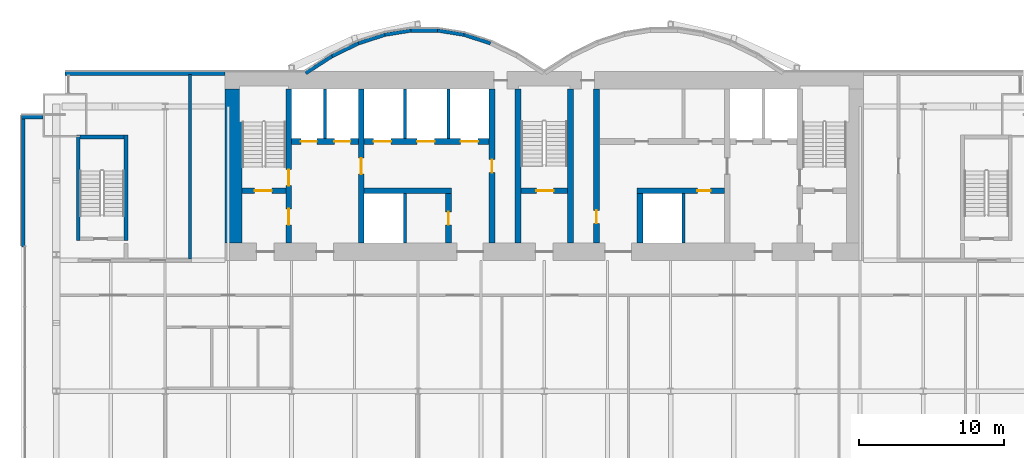
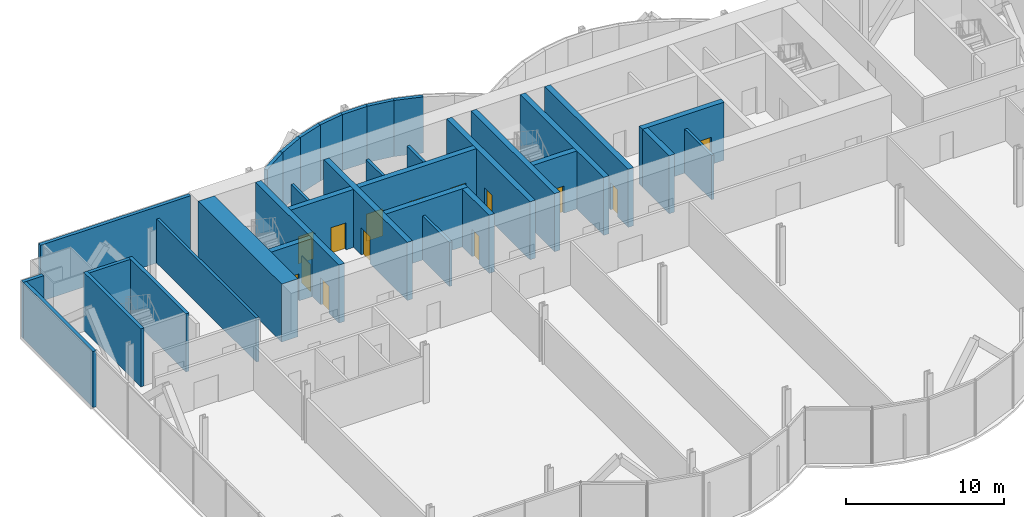
# One storey, part 16 of 21: 33 walls, 14 doors, 14 openings.
"""IFC4 building model written with IfcOpenShell, lengths in metres."""

from ifc_helpers import new_model, si_unit, direction, frame, frame_2d, origin, place, context, subcontext, project, spatial, rectangle, extrude, material, layer, layer_set, layer_usage, type_object, element, fill, save


model = new_model("IFC4")

# Units and contexts
model_context = context("Model", 3, precision=1e-05, world=origin(), true_north=direction((0.0, 1.0)))
body_context = subcontext(model_context, "Body", "Model", "MODEL_VIEW")
ifc_project = project(units=[si_unit("LENGTHUNIT", "METRE"), si_unit("AREAUNIT", "SQUARE_METRE"), si_unit("VOLUMEUNIT", "CUBIC_METRE"), si_unit("PLANEANGLEUNIT", "RADIAN"), si_unit("MASSUNIT", "GRAM", prefix="KILO")], contexts=[model_context])

# Site, building, storey
site_placement = place(None, origin())
site = spatial("IfcSite", under=ifc_project, at=site_placement, CompositionType="ELEMENT")
building_placement = place(site_placement, origin())
building = spatial("IfcBuilding", under=site, at=building_placement, Name="Bicima Exchange Tower", CompositionType="ELEMENT")
storey_placement = place(building_placement, frame((0.0, 0.0, 66.5)))
storey = spatial("IfcBuildingStorey", under=building, at=storey_placement, Name="L13", CompositionType="ELEMENT", Elevation=66.5)

# Walls
ifc_material_1 = material(Name="Gypsum board partition")
ifc_layer_1 = layer(ifc_material_1, 0.199951171875)
ifc_layer_set_1 = layer_set([ifc_layer_1], Name="Gypsum board partition")
wall_type_1 = type_object("IfcWallType", Name="Fire-rated gypsum partition 200 EI120", PredefinedType="PARTITIONING", material=ifc_layer_set_1)
for number, where, z_axis, x_axis, name in (
    (1, (-15.10009765625, -4.60009765625, 0.0), (0.0, 0.0, 1.0), (0.0, 1.0, 0.0), "partition wall 9"),
    (2, (-9.60009765625, -11.800048828125, 0.0), (0.0, 0.0, 1.0), (0.0, 1.0, 0.0), "partition wall 11"),
    (3, (-9.60009765625, -4.60009765625, 0.0), (0.0, 0.0, 1.0), (0.0, 1.0, 0.0), "partition wall 12"),
    (4, (-6.60009765625, -4.60009765625, 0.0), (0.0, 0.0, 1.0), (0.0, 1.0, 0.0), "partition wall 14"),
    (5, (9.60009765625, -11.800048828125, 0.0), (0.0, 0.0, 1.0), (0.0, 1.0, 0.0), "partition wall 20"),
):
    element("IfcWall", number, at=place(storey_placement, frame(where, z_axis=z_axis, x_axis=x_axis)), inside=storey, type_object=wall_type_1, Name=name, PredefinedType="PARTITIONING", context=body_context, shape_type="SweptSolid", body=[
        extrude(rectangle(XDim=3.400146484375, YDim=0.199951171875, at=frame_2d((1.7001953125, 0.0))), origin(), (0.0, 0.0, 1.0), 3.418212890625),
    ])
ifc_layer_2 = layer(ifc_material_1, 0.199951171875)
ifc_layer_set_2 = layer_set([ifc_layer_2], Name="Gypsum board partition")
wall_type_2 = type_object("IfcWallType", Name="Fire-rated gypsum partition 200 EI60", PredefinedType="PARTITIONING", material=ifc_layer_set_2)
wall_1_placement = place(storey_placement, frame((-24.39990234375, -12.89990234375, 0.0), z_axis=(0.0, 0.0, 1.0), x_axis=(0.0, 1.0, 0.0)))
element("IfcWall", 6, at=wall_1_placement, inside=storey, type_object=wall_type_2, Name="partition wall 15", PredefinedType="PARTITIONING", context=body_context, shape_type="SweptSolid", body=[
    extrude(rectangle(XDim=12.68994140625, YDim=0.199951171875, at=frame_2d((6.344970703125, 0.0))), origin(), (0.0, 0.0, 1.0), 3.418212890625),
])
ifc_material_2 = material(Name="Concrete C60/75", Category="concrete")
ifc_layer_3 = layer(ifc_material_2, 1.199951171875)
ifc_layer_set_3 = layer_set([ifc_layer_3], Name="Concrete C60/75")
wall_type_3 = type_object("IfcWallType", Name="RC core wall 1200 C60/75", PredefinedType="SHEAR", material=ifc_layer_set_3)
wall_2_placement = place(storey_placement, frame((-21.39990234375, -11.800048828125, 0.0), z_axis=(0.0, 0.0, 1.0), x_axis=(0.0, 1.0, 0.0)))
element("IfcWall", 7, at=wall_2_placement, inside=storey, type_object=wall_type_3, Name="Core wall west", PredefinedType="SHEAR", context=body_context, shape_type="SweptSolid", body=[
    extrude(rectangle(XDim=10.60009765625, YDim=1.199951171875, at=frame_2d((5.300048828125, 0.0))), origin(), (0.0, 0.0, 1.0), 4.5),
])

# Wall, opening, door
ifc_material_3 = material(Name="Concrete C50/60", Category="concrete")
ifc_layer_4 = layer(ifc_material_3, 0.39990234375)
ifc_layer_set_4 = layer_set([ifc_layer_4], Name="Concrete C50/60")
wall_type_4 = type_object("IfcWallType", Name="RC core wall 400 C50/60", PredefinedType="SHEAR", material=ifc_layer_set_4)
wall_3_placement = place(storey_placement, frame((-20.800048828125, -8.199951171875, 0.0), z_axis=(0.0, 0.0, 1.0), x_axis=(1.0, 0.0, 0.0)))
wall_3 = element("IfcWall", 8, at=wall_3_placement, inside=storey, type_object=wall_type_4, Name="stair wall 1", PredefinedType="SHEAR", context=body_context, shape_type="SweptSolid", body=[
    extrude(rectangle(XDim=3.0, YDim=0.39990234375, at=frame_2d((1.5, 0.0))), origin(), (0.0, 0.0, 1.0), 4.5),
])
opening_1_placement = place(wall_3_placement, frame((0.85009765625, 0.0, 0.0)))
opening_1 = element("IfcOpeningElement", 9, at=opening_1_placement, cuts=wall_3, Name="Opening L13-C01", PredefinedType="OPENING", context=body_context, shape_type="SweptSolid", body=[
    extrude(rectangle(XDim=1.199951171875, YDim=2.10009765625, at=frame_2d((0.60009765625, 1.050048828125))), frame((0.0, 0.2119140625, 0.0), z_axis=(0.0, -1.0, 0.0), x_axis=(1.0, 0.0, 0.0)), (0.0, 0.0, 1.0), 0.423828125),
])
ifc_material_4 = material(Name="Steel fire door leaf", Category="steel")
door_type_1 = type_object("IfcDoorType", Name="Door 1200 swing FD60S", OperationType="SINGLE_SWING_LEFT", PredefinedType="DOOR", material=ifc_material_4)
door_1_placement = place(opening_1_placement, origin())
door_1 = element("IfcDoor", 10, at=door_1_placement, inside=storey, type_object=door_type_1, Name="Core door", OperationType="SINGLE_SWING_LEFT", OverallHeight=2.10009765625, OverallWidth=1.199951171875, PredefinedType="DOOR", context=body_context, shape_type="SweptSolid", body=[
    extrude(rectangle(XDim=1.199951171875, YDim=2.10009765625, at=frame_2d((0.60009765625, 1.050048828125))), frame((0.0, 0.02490234375, 0.0), z_axis=(0.0, -1.0, 0.0), x_axis=(1.0, 0.0, 0.0)), (0.0, 0.0, 1.0), 0.050048828125),
])
fill(opening_1, door_1)

wall_4_placement = place(storey_placement, frame((-1.60009765625, -8.199951171875, 0.0), z_axis=(0.0, 0.0, 1.0), x_axis=(1.0, 0.0, 0.0)))
wall_4 = element("IfcWall", 11, at=wall_4_placement, inside=storey, type_object=wall_type_4, Name="stair wall 3", PredefinedType="SHEAR", context=body_context, shape_type="SweptSolid", body=[
    extrude(rectangle(XDim=3.2001953125, YDim=0.39990234375, at=frame_2d((1.60009765625, 0.0))), origin(), (0.0, 0.0, 1.0), 4.5),
])
opening_2_placement = place(wall_4_placement, frame((1.050048828125, 0.0, 0.0)))
opening_2 = element("IfcOpeningElement", 12, at=opening_2_placement, cuts=wall_4, Name="Opening L13-C03", PredefinedType="OPENING", context=body_context, shape_type="SweptSolid", body=[
    extrude(rectangle(XDim=1.199951171875, YDim=2.10009765625, at=frame_2d((0.60009765625, 1.050048828125))), frame((0.0, 0.2119140625, 0.0), z_axis=(0.0, -1.0, 0.0), x_axis=(1.0, 0.0, 0.0)), (0.0, 0.0, 1.0), 0.423828125),
])
door_2_placement = place(opening_2_placement, origin())
door_2 = element("IfcDoor", 13, at=door_2_placement, inside=storey, type_object=door_type_1, Name="Core door", OperationType="SINGLE_SWING_LEFT", OverallHeight=2.10009765625, OverallWidth=1.199951171875, PredefinedType="DOOR", context=body_context, shape_type="SweptSolid", body=[
    extrude(rectangle(XDim=1.199951171875, YDim=2.10009765625, at=frame_2d((0.60009765625, 1.050048828125))), frame((0.0, 0.02490234375, 0.0), z_axis=(0.0, -1.0, 0.0), x_axis=(1.0, 0.0, 0.0)), (0.0, 0.0, 1.0), 0.050048828125),
])
fill(opening_2, door_2)

# Wall, openings, doors
wall_5_placement = place(storey_placement, frame((-17.60009765625, -11.800048828125, 0.0), z_axis=(0.0, 0.0, 1.0), x_axis=(0.0, 1.0, 0.0)))
wall_5 = element("IfcWall", 14, at=wall_5_placement, inside=storey, type_object=wall_type_4, Name="stair wall 8", PredefinedType="SHEAR", context=body_context, shape_type="SweptSolid", body=[
    extrude(rectangle(XDim=10.60009765625, YDim=0.39990234375, at=frame_2d((5.300048828125, 0.0))), origin(), (0.0, 0.0, 1.0), 4.5),
])
opening_3_placement = place(wall_5_placement, frame((1.25, 0.0, 0.0)))
opening_3 = element("IfcOpeningElement", 15, at=opening_3_placement, cuts=wall_5, Name="Opening L13-C02", PredefinedType="OPENING", context=body_context, shape_type="SweptSolid", body=[
    extrude(rectangle(XDim=1.10009765625, YDim=2.10009765625, at=frame_2d((0.550048828125, 1.050048828125))), frame((0.0, 0.2119140625, 0.0), z_axis=(0.0, -1.0, 0.0), x_axis=(1.0, 0.0, 0.0)), (0.0, 0.0, 1.0), 0.423828125),
])
opening_4_placement = place(wall_5_placement, frame((3.949951171875, 0.0, 0.0)))
opening_4 = element("IfcOpeningElement", 16, at=opening_4_placement, cuts=wall_5, Name="Opening L13-C06", PredefinedType="OPENING", context=body_context, shape_type="SweptSolid", body=[
    extrude(rectangle(XDim=1.10009765625, YDim=2.10009765625, at=frame_2d((0.550048828125, 1.050048828125))), frame((0.0, 0.2119140625, 0.0), z_axis=(0.0, -1.0, 0.0), x_axis=(1.0, 0.0, 0.0)), (0.0, 0.0, 1.0), 0.423828125),
])
door_type_2 = type_object("IfcDoorType", Name="Door 1100 swing FD60S", OperationType="SINGLE_SWING_LEFT", PredefinedType="DOOR", material=ifc_material_4)
door_3_placement = place(opening_3_placement, frame((1.10009765625, 0.0, 0.0), z_axis=(0.0, 0.0, 1.0), x_axis=(-1.0, 0.0, 0.0)))
door_3 = element("IfcDoor", 17, at=door_3_placement, inside=storey, type_object=door_type_2, Name="Core door", OperationType="SINGLE_SWING_LEFT", OverallHeight=2.10009765625, OverallWidth=1.10009765625, PredefinedType="DOOR", context=body_context, shape_type="SweptSolid", body=[
    extrude(rectangle(XDim=1.10009765625, YDim=2.10009765625, at=frame_2d((0.550048828125, 1.050048828125))), frame((0.0, 0.02490234375, 0.0), z_axis=(0.0, -1.0, 0.0), x_axis=(1.0, 0.0, 0.0)), (0.0, 0.0, 1.0), 0.050048828125),
])
fill(opening_3, door_3)
door_4_placement = place(opening_4_placement, frame((1.10009765625, 0.0, 0.0), z_axis=(0.0, 0.0, 1.0), x_axis=(-1.0, 0.0, 0.0)))
door_4 = element("IfcDoor", 18, at=door_4_placement, inside=storey, type_object=door_type_2, Name="Core door", OperationType="SINGLE_SWING_LEFT", OverallHeight=2.10009765625, OverallWidth=1.10009765625, PredefinedType="DOOR", context=body_context, shape_type="SweptSolid", body=[
    extrude(rectangle(XDim=1.10009765625, YDim=2.10009765625, at=frame_2d((0.550048828125, 1.050048828125))), frame((0.0, 0.02490234375, 0.0), z_axis=(0.0, -1.0, 0.0), x_axis=(1.0, 0.0, 0.0)), (0.0, 0.0, 1.0), 0.050048828125),
])
fill(opening_4, door_4)

# Walls
for number, where, z_axis, x_axis, name in (
    (19, (-1.800048828125, -11.800048828125, 0.0), (0.0, 0.0, 1.0), (0.0, 1.0, 0.0), "stair wall 16"),
    (20, (1.800048828125, -11.800048828125, 0.0), (0.0, 0.0, 1.0), (0.0, 1.0, 0.0), "stair wall 17"),
):
    element("IfcWall", number, at=place(storey_placement, frame(where, z_axis=z_axis, x_axis=x_axis)), inside=storey, type_object=wall_type_4, Name=name, PredefinedType="SHEAR", context=body_context, shape_type="SweptSolid", body=[
        extrude(rectangle(XDim=10.60009765625, YDim=0.39990234375, at=frame_2d((5.300048828125, 0.0))), origin(), (0.0, 0.0, 1.0), 4.5),
    ])
ifc_layer_5 = layer(ifc_material_2, 0.39990234375)
ifc_layer_set_5 = layer_set([ifc_layer_5], Name="Concrete C60/75")
wall_type_5 = type_object("IfcWallType", Name="RC core wall 400 C60/75", PredefinedType="SHEAR", material=ifc_layer_set_5)
wall_6_placement = place(storey_placement, frame((-12.39990234375, -8.199951171875, 0.0), z_axis=(0.0, 0.0, 1.0), x_axis=(1.0, 0.0, 0.0)))
element("IfcWall", 21, at=wall_6_placement, inside=storey, type_object=wall_type_5, Name="shear wall 2", PredefinedType="SHEAR", context=body_context, shape_type="SweptSolid", body=[
    extrude(rectangle(XDim=6.0, YDim=0.39990234375, at=frame_2d((3.0, 0.0))), origin(), (0.0, 0.0, 1.0), 4.5),
])

# Wall, opening, door
wall_7_placement = place(storey_placement, frame((6.39990234375, -8.199951171875, 0.0), z_axis=(0.0, 0.0, 1.0), x_axis=(1.0, 0.0, 0.0)))
wall_7 = element("IfcWall", 22, at=wall_7_placement, inside=storey, type_object=wall_type_5, Name="shear wall 4", PredefinedType="SHEAR", context=body_context, shape_type="SweptSolid", body=[
    extrude(rectangle(XDim=6.0, YDim=0.39990234375, at=frame_2d((3.0, 0.0))), origin(), (0.0, 0.0, 1.0), 4.5),
])
opening_5_placement = place(wall_7_placement, frame((4.14990234375, 0.0, 0.0)))
opening_5 = element("IfcOpeningElement", 23, at=opening_5_placement, cuts=wall_7, Name="Opening L13-C15", PredefinedType="OPENING", context=body_context, shape_type="SweptSolid", body=[
    extrude(rectangle(XDim=0.89990234375, YDim=2.10009765625, at=frame_2d((0.449951171875, 1.050048828125))), frame((0.0, 0.2119140625, 0.0), z_axis=(0.0, -1.0, 0.0), x_axis=(1.0, 0.0, 0.0)), (0.0, 0.0, 1.0), 0.423828125),
])
door_type_3 = type_object("IfcDoorType", Name="Door 900 swing FD30S", OperationType="SINGLE_SWING_LEFT", PredefinedType="DOOR", material=ifc_material_4)
door_5_placement = place(opening_5_placement, frame((0.89990234375, 0.0, 0.0), z_axis=(0.0, 0.0, 1.0), x_axis=(-1.0, 0.0, 0.0)))
door_5 = element("IfcDoor", 24, at=door_5_placement, inside=storey, type_object=door_type_3, Name="Core door", OperationType="SINGLE_SWING_RIGHT", OverallHeight=2.10009765625, OverallWidth=0.89990234375, PredefinedType="DOOR", context=body_context, shape_type="SweptSolid", body=[
    extrude(rectangle(XDim=0.89990234375, YDim=2.10009765625, at=frame_2d((0.449951171875, 1.050048828125))), frame((0.0, 0.02490234375, 0.0), z_axis=(0.0, -1.0, 0.0), x_axis=(1.0, 0.0, 0.0)), (0.0, 0.0, 1.0), 0.050048828125),
])
fill(opening_5, door_5)

# Wall, openings, doors
wall_8_placement = place(storey_placement, frame((-17.39990234375, -4.800048828125, 0.0), z_axis=(0.0, 0.0, 1.0), x_axis=(1.0, 0.0, 0.0)))
wall_8 = element("IfcWall", 25, at=wall_8_placement, inside=storey, type_object=wall_type_5, Name="shear wall 6", PredefinedType="SHEAR", context=body_context, shape_type="SweptSolid", body=[
    extrude(rectangle(XDim=13.599853515625, YDim=0.39990234375, at=frame_2d((6.7998046875, 0.0))), origin(), (0.0, 0.0, 1.0), 4.5),
])
opening_6_placement = place(wall_8_placement, frame((0.64990234375, 0.0, 0.0)))
opening_6 = element("IfcOpeningElement", 26, at=opening_6_placement, cuts=wall_8, Name="Opening LD-FF1-L13", PredefinedType="OPENING", context=body_context, shape_type="SweptSolid", body=[
    extrude(rectangle(XDim=1.10009765625, YDim=2.10009765625, at=frame_2d((0.550048828125, 1.050048828125))), frame((0.0, 0.2119140625, 0.0), z_axis=(0.0, -1.0, 0.0), x_axis=(1.0, 0.0, 0.0)), (0.0, 0.0, 1.0), 0.423828125),
])
opening_7_placement = place(wall_8_placement, frame((2.949951171875, 0.0, 0.0)))
opening_7 = element("IfcOpeningElement", 27, at=opening_7_placement, cuts=wall_8, Name="Opening LD-FF3-L13", PredefinedType="OPENING", context=body_context, shape_type="SweptSolid", body=[
    extrude(rectangle(XDim=1.10009765625, YDim=2.10009765625, at=frame_2d((0.550048828125, 1.050048828125))), frame((0.0, 0.2119140625, 0.0), z_axis=(0.0, -1.0, 0.0), x_axis=(1.0, 0.0, 0.0)), (0.0, 0.0, 1.0), 0.423828125),
])
opening_8_placement = place(wall_8_placement, frame((5.64990234375, 0.0, 0.0)))
opening_8 = element("IfcOpeningElement", 28, at=opening_8_placement, cuts=wall_8, Name="Opening LD-LB1-L13", PredefinedType="OPENING", context=body_context, shape_type="SweptSolid", body=[
    extrude(rectangle(XDim=1.199951171875, YDim=2.10009765625, at=frame_2d((0.60009765625, 1.050048828125))), frame((0.0, 0.2119140625, 0.0), z_axis=(0.0, -1.0, 0.0), x_axis=(1.0, 0.0, 0.0)), (0.0, 0.0, 1.0), 0.423828125),
])
opening_9_placement = place(wall_8_placement, frame((8.64990234375, 0.0, 0.0)))
opening_9 = element("IfcOpeningElement", 29, at=opening_9_placement, cuts=wall_8, Name="Opening LD-LB2-L13", PredefinedType="OPENING", context=body_context, shape_type="SweptSolid", body=[
    extrude(rectangle(XDim=1.199951171875, YDim=2.10009765625, at=frame_2d((0.60009765625, 1.050048828125))), frame((0.0, 0.2119140625, 0.0), z_axis=(0.0, -1.0, 0.0), x_axis=(1.0, 0.0, 0.0)), (0.0, 0.0, 1.0), 0.423828125),
])
opening_10_placement = place(wall_8_placement, frame((11.64990234375, 0.0, 0.0)))
opening_10 = element("IfcOpeningElement", 30, at=opening_10_placement, cuts=wall_8, Name="Opening LD-LB3-L13", PredefinedType="OPENING", context=body_context, shape_type="SweptSolid", body=[
    extrude(rectangle(XDim=1.199951171875, YDim=2.10009765625, at=frame_2d((0.60009765625, 1.050048828125))), frame((0.0, 0.2119140625, 0.0), z_axis=(0.0, -1.0, 0.0), x_axis=(1.0, 0.0, 0.0)), (0.0, 0.0, 1.0), 0.423828125),
])
ifc_material_5 = material(Name="Stainless steel", Category="steel")
door_type_4 = type_object("IfcDoorType", Name="Lift landing door 1100 sliding", OperationType="DOUBLE_DOOR_SLIDING", PredefinedType="DOOR", material=ifc_material_5)
door_6_placement = place(opening_6_placement, origin())
door_6 = element("IfcDoor", 31, at=door_6_placement, inside=storey, type_object=door_type_4, Name="Lift landing door FF1", OperationType="DOUBLE_DOOR_SLIDING", OverallHeight=2.10009765625, OverallWidth=1.10009765625, PredefinedType="DOOR", context=body_context, shape_type="SweptSolid", body=[
    extrude(rectangle(XDim=1.10009765625, YDim=2.10009765625, at=frame_2d((0.550048828125, 1.050048828125))), frame((0.0, 0.02490234375, 0.0), z_axis=(0.0, -1.0, 0.0), x_axis=(1.0, 0.0, 0.0)), (0.0, 0.0, 1.0), 0.050048828125),
])
fill(opening_6, door_6)
door_7_placement = place(opening_7_placement, origin())
door_7 = element("IfcDoor", 32, at=door_7_placement, inside=storey, type_object=door_type_4, Name="Lift landing door FF3", OperationType="DOUBLE_DOOR_SLIDING", OverallHeight=2.10009765625, OverallWidth=1.10009765625, PredefinedType="DOOR", context=body_context, shape_type="SweptSolid", body=[
    extrude(rectangle(XDim=1.10009765625, YDim=2.10009765625, at=frame_2d((0.550048828125, 1.050048828125))), frame((0.0, 0.02490234375, 0.0), z_axis=(0.0, -1.0, 0.0), x_axis=(1.0, 0.0, 0.0)), (0.0, 0.0, 1.0), 0.050048828125),
])
fill(opening_7, door_7)
door_type_5 = type_object("IfcDoorType", Name="Lift landing door 1200 sliding", OperationType="DOUBLE_DOOR_SLIDING", PredefinedType="DOOR", material=ifc_material_5)
door_8_placement = place(opening_8_placement, origin())
door_8 = element("IfcDoor", 33, at=door_8_placement, inside=storey, type_object=door_type_5, Name="Lift landing door LB1", OperationType="DOUBLE_DOOR_SLIDING", OverallHeight=2.10009765625, OverallWidth=1.199951171875, PredefinedType="DOOR", context=body_context, shape_type="SweptSolid", body=[
    extrude(rectangle(XDim=1.199951171875, YDim=2.10009765625, at=frame_2d((0.60009765625, 1.050048828125))), frame((0.0, 0.02490234375, 0.0), z_axis=(0.0, -1.0, 0.0), x_axis=(1.0, 0.0, 0.0)), (0.0, 0.0, 1.0), 0.050048828125),
])
fill(opening_8, door_8)
door_9_placement = place(opening_9_placement, origin())
door_9 = element("IfcDoor", 34, at=door_9_placement, inside=storey, type_object=door_type_5, Name="Lift landing door LB2", OperationType="DOUBLE_DOOR_SLIDING", OverallHeight=2.10009765625, OverallWidth=1.199951171875, PredefinedType="DOOR", context=body_context, shape_type="SweptSolid", body=[
    extrude(rectangle(XDim=1.199951171875, YDim=2.10009765625, at=frame_2d((0.60009765625, 1.050048828125))), frame((0.0, 0.02490234375, 0.0), z_axis=(0.0, -1.0, 0.0), x_axis=(1.0, 0.0, 0.0)), (0.0, 0.0, 1.0), 0.050048828125),
])
fill(opening_9, door_9)
door_10_placement = place(opening_10_placement, origin())
door_10 = element("IfcDoor", 35, at=door_10_placement, inside=storey, type_object=door_type_5, Name="Lift landing door LB3", OperationType="DOUBLE_DOOR_SLIDING", OverallHeight=2.10009765625, OverallWidth=1.199951171875, PredefinedType="DOOR", context=body_context, shape_type="SweptSolid", body=[
    extrude(rectangle(XDim=1.199951171875, YDim=2.10009765625, at=frame_2d((0.60009765625, 1.050048828125))), frame((0.0, 0.02490234375, 0.0), z_axis=(0.0, -1.0, 0.0), x_axis=(1.0, 0.0, 0.0)), (0.0, 0.0, 1.0), 0.050048828125),
])
fill(opening_10, door_10)

# Wall, opening, door
wall_9_placement = place(storey_placement, frame((-12.60009765625, -11.800048828125, 0.0), z_axis=(0.0, 0.0, 1.0), x_axis=(0.0, 1.0, 0.0)))
wall_9 = element("IfcWall", 36, at=wall_9_placement, inside=storey, type_object=wall_type_5, Name="shear wall 10", PredefinedType="SHEAR", context=body_context, shape_type="SweptSolid", body=[
    extrude(rectangle(XDim=10.60009765625, YDim=0.39990234375, at=frame_2d((5.300048828125, 0.0))), origin(), (0.0, 0.0, 1.0), 4.5),
])
opening_11_placement = place(wall_9_placement, frame((4.75, 0.0, 0.0)))
opening_11 = element("IfcOpeningElement", 37, at=opening_11_placement, cuts=wall_9, Name="Opening L13-C07", PredefinedType="OPENING", context=body_context, shape_type="SweptSolid", body=[
    extrude(rectangle(XDim=1.10009765625, YDim=2.10009765625, at=frame_2d((0.550048828125, 1.050048828125))), frame((0.0, 0.2119140625, 0.0), z_axis=(0.0, -1.0, 0.0), x_axis=(1.0, 0.0, 0.0)), (0.0, 0.0, 1.0), 0.423828125),
])
door_11_placement = place(opening_11_placement, origin())
door_11 = element("IfcDoor", 38, at=door_11_placement, inside=storey, type_object=door_type_2, Name="Core door", OperationType="SINGLE_SWING_LEFT", OverallHeight=2.10009765625, OverallWidth=1.10009765625, PredefinedType="DOOR", context=body_context, shape_type="SweptSolid", body=[
    extrude(rectangle(XDim=1.10009765625, YDim=2.10009765625, at=frame_2d((0.550048828125, 1.050048828125))), frame((0.0, 0.02490234375, 0.0), z_axis=(0.0, -1.0, 0.0), x_axis=(1.0, 0.0, 0.0)), (0.0, 0.0, 1.0), 0.050048828125),
])
fill(opening_11, door_11)

wall_10_placement = place(storey_placement, frame((-6.60009765625, -11.800048828125, 0.0), z_axis=(0.0, 0.0, 1.0), x_axis=(0.0, 1.0, 0.0)))
wall_10 = element("IfcWall", 39, at=wall_10_placement, inside=storey, type_object=wall_type_5, Name="shear wall 13", PredefinedType="SHEAR", context=body_context, shape_type="SweptSolid", body=[
    extrude(rectangle(XDim=3.400146484375, YDim=0.39990234375, at=frame_2d((1.7001953125, 0.0))), origin(), (0.0, 0.0, 1.0), 4.5),
])
opening_12_placement = place(wall_10_placement, frame((1.25, 0.0, 0.0)))
opening_12 = element("IfcOpeningElement", 40, at=opening_12_placement, cuts=wall_10, Name="Opening L13-C14", PredefinedType="OPENING", context=body_context, shape_type="SweptSolid", body=[
    extrude(rectangle(XDim=0.89990234375, YDim=2.10009765625, at=frame_2d((0.449951171875, 1.050048828125))), frame((0.0, 0.2119140625, 0.0), z_axis=(0.0, -1.0, 0.0), x_axis=(1.0, 0.0, 0.0)), (0.0, 0.0, 1.0), 0.423828125),
])
door_12_placement = place(opening_12_placement, origin())
door_12 = element("IfcDoor", 41, at=door_12_placement, inside=storey, type_object=door_type_3, Name="Core door", OperationType="SINGLE_SWING_RIGHT", OverallHeight=2.10009765625, OverallWidth=0.89990234375, PredefinedType="DOOR", context=body_context, shape_type="SweptSolid", body=[
    extrude(rectangle(XDim=0.89990234375, YDim=2.10009765625, at=frame_2d((0.449951171875, 1.050048828125))), frame((0.0, 0.02490234375, 0.0), z_axis=(0.0, -1.0, 0.0), x_axis=(1.0, 0.0, 0.0)), (0.0, 0.0, 1.0), 0.050048828125),
])
fill(opening_12, door_12)

wall_11_placement = place(storey_placement, frame((-3.60009765625, -11.800048828125, 0.0), z_axis=(0.0, 0.0, 1.0), x_axis=(0.0, 1.0, 0.0)))
wall_11 = element("IfcWall", 42, at=wall_11_placement, inside=storey, type_object=wall_type_5, Name="shear wall 15", PredefinedType="SHEAR", context=body_context, shape_type="SweptSolid", body=[
    extrude(rectangle(XDim=10.60009765625, YDim=0.39990234375, at=frame_2d((5.300048828125, 0.0))), origin(), (0.0, 0.0, 1.0), 4.5),
])
opening_13_placement = place(wall_11_placement, frame((4.85009765625, 0.0, 0.0)))
opening_13 = element("IfcOpeningElement", 43, at=opening_13_placement, cuts=wall_11, Name="Opening L13-C10", PredefinedType="OPENING", context=body_context, shape_type="SweptSolid", body=[
    extrude(rectangle(XDim=0.89990234375, YDim=2.10009765625, at=frame_2d((0.449951171875, 1.050048828125))), frame((0.0, 0.2119140625, 0.0), z_axis=(0.0, -1.0, 0.0), x_axis=(1.0, 0.0, 0.0)), (0.0, 0.0, 1.0), 0.423828125),
])
door_13_placement = place(opening_13_placement, frame((0.89990234375, 0.0, 0.0), z_axis=(0.0, 0.0, 1.0), x_axis=(-1.0, 0.0, 0.0)))
door_13 = element("IfcDoor", 44, at=door_13_placement, inside=storey, type_object=door_type_3, Name="Core door", OperationType="SINGLE_SWING_LEFT", OverallHeight=2.10009765625, OverallWidth=0.89990234375, PredefinedType="DOOR", context=body_context, shape_type="SweptSolid", body=[
    extrude(rectangle(XDim=0.89990234375, YDim=2.10009765625, at=frame_2d((0.449951171875, 1.050048828125))), frame((0.0, 0.02490234375, 0.0), z_axis=(0.0, -1.0, 0.0), x_axis=(1.0, 0.0, 0.0)), (0.0, 0.0, 1.0), 0.050048828125),
])
fill(opening_13, door_13)

wall_12_placement = place(storey_placement, frame((3.60009765625, -11.800048828125, 0.0), z_axis=(0.0, 0.0, 1.0), x_axis=(0.0, 1.0, 0.0)))
wall_12 = element("IfcWall", 45, at=wall_12_placement, inside=storey, type_object=wall_type_5, Name="shear wall 18", PredefinedType="SHEAR", context=body_context, shape_type="SweptSolid", body=[
    extrude(rectangle(XDim=10.60009765625, YDim=0.39990234375, at=frame_2d((5.300048828125, 0.0))), origin(), (0.0, 0.0, 1.0), 4.5),
])
opening_14_placement = place(wall_12_placement, frame((1.35009765625, 0.0, 0.0)))
opening_14 = element("IfcOpeningElement", 46, at=opening_14_placement, cuts=wall_12, Name="Opening L13-C11", PredefinedType="OPENING", context=body_context, shape_type="SweptSolid", body=[
    extrude(rectangle(XDim=0.89990234375, YDim=2.10009765625, at=frame_2d((0.449951171875, 1.050048828125))), frame((0.0, 0.2119140625, 0.0), z_axis=(0.0, -1.0, 0.0), x_axis=(1.0, 0.0, 0.0)), (0.0, 0.0, 1.0), 0.423828125),
])
door_14_placement = place(opening_14_placement, origin())
door_14 = element("IfcDoor", 47, at=door_14_placement, inside=storey, type_object=door_type_3, Name="Core door", OperationType="SINGLE_SWING_LEFT", OverallHeight=2.10009765625, OverallWidth=0.89990234375, PredefinedType="DOOR", context=body_context, shape_type="SweptSolid", body=[
    extrude(rectangle(XDim=0.89990234375, YDim=2.10009765625, at=frame_2d((0.449951171875, 1.050048828125))), frame((0.0, 0.02490234375, 0.0), z_axis=(0.0, -1.0, 0.0), x_axis=(1.0, 0.0, 0.0)), (0.0, 0.0, 1.0), 0.050048828125),
])
fill(opening_14, door_14)

# Walls
wall_13_placement = place(storey_placement, frame((6.60009765625, -11.800048828125, 0.0), z_axis=(0.0, 0.0, 1.0), x_axis=(0.0, 1.0, 0.0)))
element("IfcWall", 48, at=wall_13_placement, inside=storey, type_object=wall_type_5, Name="shear wall 19", PredefinedType="SHEAR", context=body_context, shape_type="SweptSolid", body=[
    extrude(rectangle(XDim=3.400146484375, YDim=0.39990234375, at=frame_2d((1.7001953125, 0.0))), origin(), (0.0, 0.0, 1.0), 4.5),
])
ifc_layer_6 = layer(ifc_material_3, 0.25)
ifc_layer_set_6 = layer_set([ifc_layer_6], Name="Concrete C50/60")
wall_type_6 = type_object("IfcWallType", Name="RC stair enclosure wall 250 C50/60", PredefinedType="SHEAR", material=ifc_layer_set_6)
for number, where, z_axis, x_axis, name in (
    (49, (-32.10009765625, -11.625, 0.0), (0.0, 0.0, 1.0), (0.0, 1.0, 0.0), "West end exit stair wall W"),
    (50, (-28.800048828125, -11.625, 0.0), (0.0, 0.0, 1.0), (0.0, 1.0, 0.0), "West end exit stair wall E"),
):
    element("IfcWall", number, at=place(storey_placement, frame(where, z_axis=z_axis, x_axis=x_axis)), inside=storey, type_object=wall_type_6, Name=name, PredefinedType="SHEAR", context=body_context, shape_type="SweptSolid", body=[
        extrude(rectangle(XDim=7.25, YDim=0.25, at=frame_2d((3.625, 0.0))), origin(), (0.0, 0.0, 1.0), 4.5),
    ])
wall_14_placement = place(storey_placement, frame((-31.97509765625, -4.5, 0.0), z_axis=(0.0, 0.0, 1.0), x_axis=(1.0, 0.0, 0.0)))
element("IfcWall", 51, at=wall_14_placement, inside=storey, type_object=wall_type_6, Name="West end exit stair wall N", PredefinedType="SHEAR", context=body_context, shape_type="SweptSolid", body=[
    extrude(rectangle(XDim=3.050048828125, YDim=0.25, at=frame_2d((1.52490234375, 0.0))), origin(), (0.0, 0.0, 1.0), 4.5),
])
ifc_material_6 = material(Name="Concrete C40/50", Category="concrete")
ifc_layer_7 = layer(ifc_material_6, 0.25)
ifc_layer_set_7 = layer_set([ifc_layer_7], Name="Concrete C40/50")
ifc_layer_usage = layer_usage(ifc_layer_set_7, "AXIS2", "POSITIVE", -0.125)
wall_type_7 = type_object("IfcWallType", Name="Rear backup wall 250", PredefinedType="STANDARD", material=ifc_layer_set_7)
wall_15_placement = place(storey_placement, frame((-3.705078125, 1.955078125, 0.0), z_axis=(0.0, 0.0, 1.0), x_axis=(-0.951495806175, 0.307661714928, 0.0)))
element("IfcWall", 52, at=wall_15_placement, inside=storey, type_object=wall_type_7, material=ifc_layer_usage, Name="Rear backup wall L13 13", PredefinedType="STANDARD", context=body_context, shape_type="SweptSolid", body=[
    extrude(rectangle(XDim=1.9267578125, YDim=0.25, at=frame_2d((0.96337890625, 0.0))), origin(), (0.0, 0.0, 1.0), 4.35009765625),
])
wall_16_placement = place(storey_placement, frame((-5.52001953125, 2.543212890625, 0.0), z_axis=(0.0, 0.0, 1.0), x_axis=(-0.987181718931, 0.159600293885, 0.0)))
element("IfcWall", 53, at=wall_16_placement, inside=storey, type_object=wall_type_7, material=ifc_layer_usage, Name="Rear backup wall L13 14", PredefinedType="STANDARD", context=body_context, shape_type="SweptSolid", body=[
    extrude(rectangle(XDim=1.857177734375, YDim=0.25, at=frame_2d((0.9287109375, 0.0))), origin(), (0.0, 0.0, 1.0), 4.35009765625),
])
wall_17_placement = place(storey_placement, frame((-7.333251953125, 2.837890625, 0.0), z_axis=(0.0, 0.0, 1.0), x_axis=(-1.0, 0.0, 0.0)))
element("IfcWall", 54, at=wall_17_placement, inside=storey, type_object=wall_type_7, material=ifc_layer_usage, Name="Rear backup wall L13 15", PredefinedType="STANDARD", context=body_context, shape_type="SweptSolid", body=[
    extrude(rectangle(XDim=1.83349609375, YDim=0.25, at=frame_2d((0.916748046875, 0.0))), origin(), (0.0, 0.0, 1.0), 4.35009765625),
])
wall_18_placement = place(storey_placement, frame((-9.146728515625, 2.839599609375, 0.0), z_axis=(0.0, 0.0, 1.0), x_axis=(-0.987181718931, -0.159600293885, 0.0)))
element("IfcWall", 55, at=wall_18_placement, inside=storey, type_object=wall_type_7, material=ifc_layer_usage, Name="Rear backup wall L13 16", PredefinedType="STANDARD", context=body_context, shape_type="SweptSolid", body=[
    extrude(rectangle(XDim=1.857177734375, YDim=0.25, at=frame_2d((0.9287109375, 0.0))), origin(), (0.0, 0.0, 1.0), 4.35009765625),
])
wall_19_placement = place(storey_placement, frame((-10.961669921875, 2.5478515625, 0.0), z_axis=(0.0, 0.0, 1.0), x_axis=(-0.951495806175, -0.307661714928, 0.0)))
element("IfcWall", 56, at=wall_19_placement, inside=storey, type_object=wall_type_7, material=ifc_layer_usage, Name="Rear backup wall L13 17", PredefinedType="STANDARD", context=body_context, shape_type="SweptSolid", body=[
    extrude(rectangle(XDim=1.9267578125, YDim=0.25, at=frame_2d((0.96337890625, 0.0))), origin(), (0.0, 0.0, 1.0), 4.35009765625),
])
wall_20_placement = place(storey_placement, frame((-12.77880859375, 1.961669921875, 0.0), z_axis=(0.0, 0.0, 1.0), x_axis=(-0.89982408427, -0.436252928206, 0.0)))
element("IfcWall", 57, at=wall_20_placement, inside=storey, type_object=wall_type_7, material=ifc_layer_usage, Name="Rear backup wall L13 18", PredefinedType="STANDARD", context=body_context, shape_type="SweptSolid", body=[
    extrude(rectangle(XDim=2.03759765625, YDim=0.25, at=frame_2d((1.018798828125, 0.0))), origin(), (0.0, 0.0, 1.0), 4.35009765625),
])
wall_21_placement = place(storey_placement, frame((-14.598876953125, 1.080078125, 0.0), z_axis=(0.0, 0.0, 1.0), x_axis=(-0.83981312244, -0.542875602121, 0.0)))
element("IfcWall", 58, at=wall_21_placement, inside=storey, type_object=wall_type_7, material=ifc_layer_usage, Name="Rear backup wall L13 19", PredefinedType="STANDARD", context=body_context, shape_type="SweptSolid", body=[
    extrude(rectangle(XDim=2.182861328125, YDim=0.25, at=frame_2d((1.09130859375, 0.0))), origin(), (0.0, 0.0, 1.0), 4.35009765625),
])
wall_22_placement = place(storey_placement, frame((-22.0, -0.125, 0.0), z_axis=(0.0, 0.0, 1.0), x_axis=(-1.0, 0.0, 0.0)))
element("IfcWall", 59, at=wall_22_placement, inside=storey, type_object=wall_type_7, material=ifc_layer_usage, Name="Rear backup wall L13 20", PredefinedType="STANDARD", context=body_context, shape_type="SweptSolid", body=[
    extrude(rectangle(XDim=11.0, YDim=0.25, at=frame_2d((5.5, 0.0))), origin(), (0.0, 0.0, 1.0), 4.35009765625),
])
wall_23_placement = place(storey_placement, frame((-34.5, -3.125, 0.0), z_axis=(0.0, 0.0, 1.0), x_axis=(-1.0, 0.0, 0.0)))
element("IfcWall", 60, at=wall_23_placement, inside=storey, type_object=wall_type_7, material=ifc_layer_usage, Name="Rear backup wall L13 22", PredefinedType="STANDARD", context=body_context, shape_type="SweptSolid", body=[
    extrude(rectangle(XDim=1.5, YDim=0.25, at=frame_2d((0.75, 0.0))), origin(), (0.0, 0.0, 1.0), 4.35009765625),
])
wall_24_placement = place(storey_placement, frame((-35.875, -3.0, 0.0), z_axis=(0.0, 0.0, 1.0), x_axis=(0.0, -1.0, 0.0)))
element("IfcWall", 61, at=wall_24_placement, inside=storey, type_object=wall_type_7, material=ifc_layer_usage, Name="Rear backup wall L13 23", PredefinedType="STANDARD", context=body_context, shape_type="SweptSolid", body=[
    extrude(rectangle(XDim=9.090087890625, YDim=0.25, at=frame_2d((4.544921875, 0.0))), origin(), (0.0, 0.0, 1.0), 4.35009765625),
])

save(model, "model.ifc")
